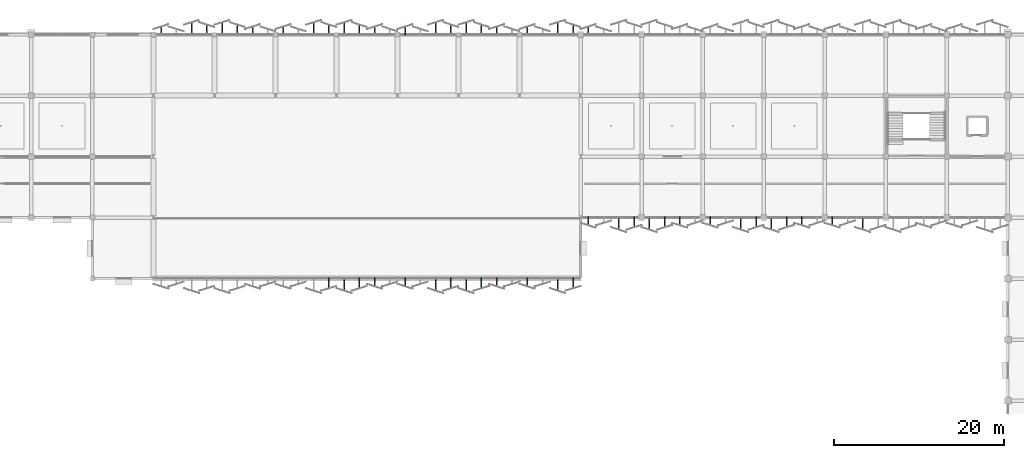
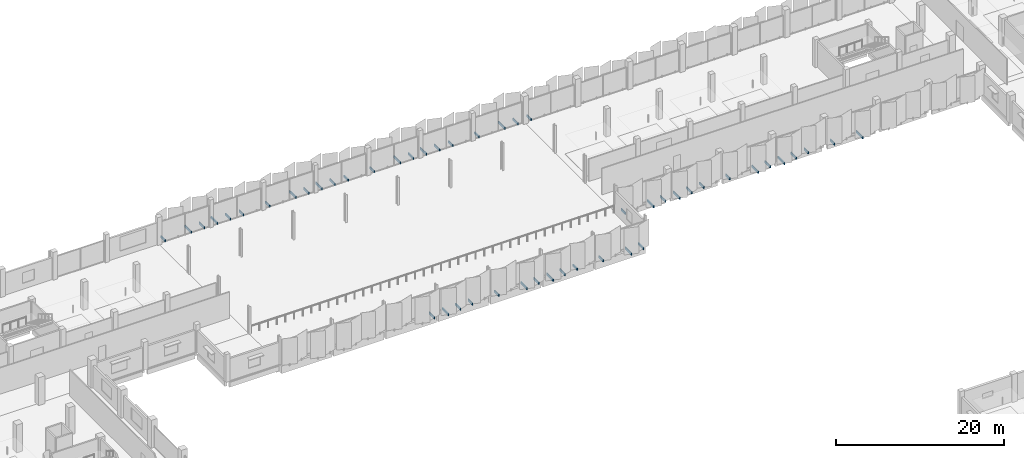
# One storey, part 94 of 107: 49 discrete accessories.
"""IFC4 building model written with IfcOpenShell, lengths in metres."""

from ifc_helpers import new_model, si_unit, direction, frame, origin, origin_2d, place, context, subcontext, project, spatial, rectangle, extrude, material, type_object, element, save


model = new_model("IFC4")

# Units and contexts
model_context = context("Model", 3, precision=1e-05, world=origin(), true_north=direction((0.0, 1.0)))
body_context = subcontext(model_context, "Body", "Model", "MODEL_VIEW")
ifc_project = project(units=[si_unit("LENGTHUNIT", "METRE"), si_unit("AREAUNIT", "SQUARE_METRE"), si_unit("VOLUMEUNIT", "CUBIC_METRE"), si_unit("PLANEANGLEUNIT", "RADIAN"), si_unit("MASSUNIT", "GRAM", prefix="KILO")], contexts=[model_context])

# Site, building, storey
site_placement = place(None, origin())
site = spatial("IfcSite", under=ifc_project, at=site_placement, CompositionType="ELEMENT")
building_placement = place(site_placement, origin())
building = spatial("IfcBuilding", under=site, at=building_placement, Name="Kangsadwip Square Police Headquarters", CompositionType="ELEMENT")
storey_placement = place(building_placement, frame((0.0, 0.0, 5.39990234375)))
storey = spatial("IfcBuildingStorey", under=building, at=storey_placement, Name="L01", CompositionType="ELEMENT", Elevation=5.39990234375)

# Discrete accessories
ifc_material = material(Name="Structural steel IS 2062 E350 (Grade 350, 350 MPa)", Category="steel")
discrete_accessory_type = type_object("IfcDiscreteAccessoryType", Name="VeilOutriggerBracket", PredefinedType="BRACKET", material=ifc_material)
discrete_accessory_1_placement = place(storey_placement, frame((44.10009765625, 115.642578125, -0.06005859375), z_axis=(0.0, 0.0, 1.0), x_axis=(1.0, 0.0, 0.0)))
element("IfcDiscreteAccessory", 1, at=discrete_accessory_1_placement, inside=storey, type_object=discrete_accessory_type, Name="Veil Outrigger Bracket VBK-L01-0001", PredefinedType="BRACKET", context=body_context, shape_type="SweptSolid", body=[
    extrude(rectangle(XDim=0.1201171875, YDim=1.04541015625, at=origin_2d()), origin(), (0.0, 0.0, 1.0), 0.340087890625),
])
discrete_accessory_2_placement = place(storey_placement, frame((47.699951171875, 115.897216796875, -0.06005859375), z_axis=(0.0, 0.0, 1.0), x_axis=(1.0, 0.0, 0.0)))
element("IfcDiscreteAccessory", 2, at=discrete_accessory_2_placement, inside=storey, type_object=discrete_accessory_type, Name="Veil Outrigger Bracket VBK-L01-0003", PredefinedType="BRACKET", context=body_context, shape_type="SweptSolid", body=[
    extrude(rectangle(XDim=0.1201171875, YDim=1.5546875, at=origin_2d()), origin(), (0.0, 0.0, 1.0), 0.340087890625),
])
discrete_accessory_3_placement = place(storey_placement, frame((49.5, 115.75732421875, -0.06005859375), z_axis=(0.0, 0.0, 1.0), x_axis=(1.0, 0.0, 0.0)))
element("IfcDiscreteAccessory", 3, at=discrete_accessory_3_placement, inside=storey, type_object=discrete_accessory_type, Name="Veil Outrigger Bracket VBK-L01-0004", PredefinedType="BRACKET", context=body_context, shape_type="SweptSolid", body=[
    extrude(rectangle(XDim=0.1201171875, YDim=1.274658203125, at=origin_2d()), origin(), (0.0, 0.0, 1.0), 0.340087890625),
])
discrete_accessory_4_placement = place(storey_placement, frame((51.300048828125, 115.897216796875, -0.06005859375), z_axis=(0.0, 0.0, 1.0), x_axis=(1.0, 0.0, 0.0)))
element("IfcDiscreteAccessory", 4, at=discrete_accessory_4_placement, inside=storey, type_object=discrete_accessory_type, Name="Veil Outrigger Bracket VBK-L01-0005", PredefinedType="BRACKET", context=body_context, shape_type="SweptSolid", body=[
    extrude(rectangle(XDim=0.1201171875, YDim=1.5546875, at=origin_2d()), origin(), (0.0, 0.0, 1.0), 0.340087890625),
])
discrete_accessory_5_placement = place(storey_placement, frame((53.10009765625, 115.75732421875, -0.06005859375), z_axis=(0.0, 0.0, 1.0), x_axis=(1.0, 0.0, 0.0)))
element("IfcDiscreteAccessory", 5, at=discrete_accessory_5_placement, inside=storey, type_object=discrete_accessory_type, Name="Veil Outrigger Bracket VBK-L01-0006", PredefinedType="BRACKET", context=body_context, shape_type="SweptSolid", body=[
    extrude(rectangle(XDim=0.1201171875, YDim=1.274658203125, at=origin_2d()), origin(), (0.0, 0.0, 1.0), 0.340087890625),
])
for number, where, z_axis, x_axis, name in (
    (6, (54.89990234375, 115.642578125, -0.06005859375), (0.0, 0.0, 1.0), (1.0, 0.0, 0.0), "Veil Outrigger Bracket VBK-L01-0007"),
    (7, (58.5, 115.642578125, -0.06005859375), (0.0, 0.0, 1.0), (1.0, 0.0, 0.0), "Veil Outrigger Bracket VBK-L01-0009"),
):
    element("IfcDiscreteAccessory", number, at=place(storey_placement, frame(where, z_axis=z_axis, x_axis=x_axis)), inside=storey, type_object=discrete_accessory_type, Name=name, PredefinedType="BRACKET", context=body_context, shape_type="SweptSolid", body=[
        extrude(rectangle(XDim=0.1201171875, YDim=1.04541015625, at=origin_2d()), origin(), (0.0, 0.0, 1.0), 0.340087890625),
    ])
discrete_accessory_6_placement = place(storey_placement, frame((62.10009765625, 115.897216796875, -0.06005859375), z_axis=(0.0, 0.0, 1.0), x_axis=(1.0, 0.0, 0.0)))
element("IfcDiscreteAccessory", 8, at=discrete_accessory_6_placement, inside=storey, type_object=discrete_accessory_type, Name="Veil Outrigger Bracket VBK-L01-0011", PredefinedType="BRACKET", context=body_context, shape_type="SweptSolid", body=[
    extrude(rectangle(XDim=0.1201171875, YDim=1.5546875, at=origin_2d()), origin(), (0.0, 0.0, 1.0), 0.340087890625),
])
discrete_accessory_7_placement = place(storey_placement, frame((63.89990234375, 115.75732421875, -0.06005859375), z_axis=(0.0, 0.0, 1.0), x_axis=(1.0, 0.0, 0.0)))
element("IfcDiscreteAccessory", 9, at=discrete_accessory_7_placement, inside=storey, type_object=discrete_accessory_type, Name="Veil Outrigger Bracket VBK-L01-0012", PredefinedType="BRACKET", context=body_context, shape_type="SweptSolid", body=[
    extrude(rectangle(XDim=0.1201171875, YDim=1.274658203125, at=origin_2d()), origin(), (0.0, 0.0, 1.0), 0.340087890625),
])
discrete_accessory_8_placement = place(storey_placement, frame((65.699951171875, 115.897216796875, -0.06005859375), z_axis=(0.0, 0.0, 1.0), x_axis=(1.0, 0.0, 0.0)))
element("IfcDiscreteAccessory", 10, at=discrete_accessory_8_placement, inside=storey, type_object=discrete_accessory_type, Name="Veil Outrigger Bracket VBK-L01-0013", PredefinedType="BRACKET", context=body_context, shape_type="SweptSolid", body=[
    extrude(rectangle(XDim=0.1201171875, YDim=1.5546875, at=origin_2d()), origin(), (0.0, 0.0, 1.0), 0.340087890625),
])
discrete_accessory_9_placement = place(storey_placement, frame((67.5, 115.75732421875, -0.06005859375), z_axis=(0.0, 0.0, 1.0), x_axis=(1.0, 0.0, 0.0)))
element("IfcDiscreteAccessory", 11, at=discrete_accessory_9_placement, inside=storey, type_object=discrete_accessory_type, Name="Veil Outrigger Bracket VBK-L01-0014", PredefinedType="BRACKET", context=body_context, shape_type="SweptSolid", body=[
    extrude(rectangle(XDim=0.1201171875, YDim=1.274658203125, at=origin_2d()), origin(), (0.0, 0.0, 1.0), 0.340087890625),
])
for number, where, z_axis, x_axis, name in (
    (12, (69.300048828125, 115.642578125, -0.06005859375), (0.0, 0.0, 1.0), (1.0, 0.0, 0.0), "Veil Outrigger Bracket VBK-L01-0015"),
    (13, (72.89990234375, 115.642578125, -0.06005859375), (0.0, 0.0, 1.0), (1.0, 0.0, 0.0), "Veil Outrigger Bracket VBK-L01-0017"),
):
    element("IfcDiscreteAccessory", number, at=place(storey_placement, frame(where, z_axis=z_axis, x_axis=x_axis)), inside=storey, type_object=discrete_accessory_type, Name=name, PredefinedType="BRACKET", context=body_context, shape_type="SweptSolid", body=[
        extrude(rectangle(XDim=0.1201171875, YDim=1.04541015625, at=origin_2d()), origin(), (0.0, 0.0, 1.0), 0.340087890625),
    ])
discrete_accessory_10_placement = place(storey_placement, frame((76.5, 115.897216796875, -0.06005859375), z_axis=(0.0, 0.0, 1.0), x_axis=(1.0, 0.0, 0.0)))
element("IfcDiscreteAccessory", 14, at=discrete_accessory_10_placement, inside=storey, type_object=discrete_accessory_type, Name="Veil Outrigger Bracket VBK-L01-0019", PredefinedType="BRACKET", context=body_context, shape_type="SweptSolid", body=[
    extrude(rectangle(XDim=0.1201171875, YDim=1.5546875, at=origin_2d()), origin(), (0.0, 0.0, 1.0), 0.340087890625),
])
discrete_accessory_11_placement = place(storey_placement, frame((78.300048828125, 115.75732421875, -0.06005859375), z_axis=(0.0, 0.0, 1.0), x_axis=(1.0, 0.0, 0.0)))
element("IfcDiscreteAccessory", 15, at=discrete_accessory_11_placement, inside=storey, type_object=discrete_accessory_type, Name="Veil Outrigger Bracket VBK-L01-0020", PredefinedType="BRACKET", context=body_context, shape_type="SweptSolid", body=[
    extrude(rectangle(XDim=0.1201171875, YDim=1.274658203125, at=origin_2d()), origin(), (0.0, 0.0, 1.0), 0.340087890625),
])
discrete_accessory_12_placement = place(storey_placement, frame((80.10009765625, 115.897216796875, -0.06005859375), z_axis=(0.0, 0.0, 1.0), x_axis=(1.0, 0.0, 0.0)))
element("IfcDiscreteAccessory", 16, at=discrete_accessory_12_placement, inside=storey, type_object=discrete_accessory_type, Name="Veil Outrigger Bracket VBK-L01-0021", PredefinedType="BRACKET", context=body_context, shape_type="SweptSolid", body=[
    extrude(rectangle(XDim=0.1201171875, YDim=1.5546875, at=origin_2d()), origin(), (0.0, 0.0, 1.0), 0.340087890625),
])
discrete_accessory_13_placement = place(storey_placement, frame((81.89990234375, 115.75732421875, -0.06005859375), z_axis=(0.0, 0.0, 1.0), x_axis=(1.0, 0.0, 0.0)))
element("IfcDiscreteAccessory", 17, at=discrete_accessory_13_placement, inside=storey, type_object=discrete_accessory_type, Name="Veil Outrigger Bracket VBK-L01-0022", PredefinedType="BRACKET", context=body_context, shape_type="SweptSolid", body=[
    extrude(rectangle(XDim=0.1201171875, YDim=1.274658203125, at=origin_2d()), origin(), (0.0, 0.0, 1.0), 0.340087890625),
])
for number, where, z_axis, x_axis, name in (
    (18, (83.699951171875, 115.642578125, -0.06005859375), (0.0, 0.0, 1.0), (1.0, 0.0, 0.0), "Veil Outrigger Bracket VBK-L01-0023"),
    (19, (87.300048828125, 115.642578125, -0.06005859375), (0.0, 0.0, 1.0), (1.0, 0.0, 0.0), "Veil Outrigger Bracket VBK-L01-0025"),
):
    element("IfcDiscreteAccessory", number, at=place(storey_placement, frame(where, z_axis=z_axis, x_axis=x_axis)), inside=storey, type_object=discrete_accessory_type, Name=name, PredefinedType="BRACKET", context=body_context, shape_type="SweptSolid", body=[
        extrude(rectangle(XDim=0.1201171875, YDim=1.04541015625, at=origin_2d()), origin(), (0.0, 0.0, 1.0), 0.340087890625),
    ])
discrete_accessory_14_placement = place(storey_placement, frame((90.89990234375, 115.897216796875, -0.06005859375), z_axis=(0.0, 0.0, 1.0), x_axis=(1.0, 0.0, 0.0)))
element("IfcDiscreteAccessory", 20, at=discrete_accessory_14_placement, inside=storey, type_object=discrete_accessory_type, Name="Veil Outrigger Bracket VBK-L01-0027", PredefinedType="BRACKET", context=body_context, shape_type="SweptSolid", body=[
    extrude(rectangle(XDim=0.1201171875, YDim=1.5546875, at=origin_2d()), origin(), (0.0, 0.0, 1.0), 0.340087890625),
])
discrete_accessory_15_placement = place(storey_placement, frame((92.699951171875, 115.75732421875, -0.06005859375), z_axis=(0.0, 0.0, 1.0), x_axis=(1.0, 0.0, 0.0)))
element("IfcDiscreteAccessory", 21, at=discrete_accessory_15_placement, inside=storey, type_object=discrete_accessory_type, Name="Veil Outrigger Bracket VBK-L01-0028", PredefinedType="BRACKET", context=body_context, shape_type="SweptSolid", body=[
    extrude(rectangle(XDim=0.1201171875, YDim=1.274658203125, at=origin_2d()), origin(), (0.0, 0.0, 1.0), 0.340087890625),
])
discrete_accessory_16_placement = place(storey_placement, frame((94.5, 115.642578125, -0.06005859375), z_axis=(0.0, 0.0, 1.0), x_axis=(1.0, 0.0, 0.0)))
element("IfcDiscreteAccessory", 22, at=discrete_accessory_16_placement, inside=storey, type_object=discrete_accessory_type, Name="Veil Outrigger Bracket VBK-L01-0057", PredefinedType="BRACKET", context=body_context, shape_type="SweptSolid", body=[
    extrude(rectangle(XDim=0.1201171875, YDim=1.04541015625, at=origin_2d()), origin(), (0.0, 0.0, 1.0), 0.340087890625),
])
discrete_accessory_17_placement = place(storey_placement, frame((63.89990234375, 85.8427734375, -0.06005859375), z_axis=(0.0, 0.0, 1.0), x_axis=(1.0, 0.0, 0.0)))
element("IfcDiscreteAccessory", 23, at=discrete_accessory_17_placement, inside=storey, type_object=discrete_accessory_type, Name="Veil Outrigger Bracket VBK-L01-0208", PredefinedType="BRACKET", context=body_context, shape_type="SweptSolid", body=[
    extrude(rectangle(XDim=0.1201171875, YDim=1.274658203125, at=origin_2d()), origin(), (0.0, 0.0, 1.0), 0.340087890625),
])
discrete_accessory_18_placement = place(storey_placement, frame((65.699951171875, 85.70263671875, -0.06005859375), z_axis=(0.0, 0.0, 1.0), x_axis=(1.0, 0.0, 0.0)))
element("IfcDiscreteAccessory", 24, at=discrete_accessory_18_placement, inside=storey, type_object=discrete_accessory_type, Name="Veil Outrigger Bracket VBK-L01-0209", PredefinedType="BRACKET", context=body_context, shape_type="SweptSolid", body=[
    extrude(rectangle(XDim=0.1201171875, YDim=1.5546875, at=origin_2d()), origin(), (0.0, 0.0, 1.0), 0.340087890625),
])
discrete_accessory_19_placement = place(storey_placement, frame((67.5, 85.8427734375, -0.06005859375), z_axis=(0.0, 0.0, 1.0), x_axis=(1.0, 0.0, 0.0)))
element("IfcDiscreteAccessory", 25, at=discrete_accessory_19_placement, inside=storey, type_object=discrete_accessory_type, Name="Veil Outrigger Bracket VBK-L01-0210", PredefinedType="BRACKET", context=body_context, shape_type="SweptSolid", body=[
    extrude(rectangle(XDim=0.1201171875, YDim=1.274658203125, at=origin_2d()), origin(), (0.0, 0.0, 1.0), 0.340087890625),
])
for number, where, z_axis, x_axis, name in (
    (26, (69.300048828125, 85.957275390625, -0.06005859375), (0.0, 0.0, 1.0), (1.0, 0.0, 0.0), "Veil Outrigger Bracket VBK-L01-0211"),
    (27, (72.89990234375, 85.957275390625, -0.06005859375), (0.0, 0.0, 1.0), (1.0, 0.0, 0.0), "Veil Outrigger Bracket VBK-L01-0213"),
):
    element("IfcDiscreteAccessory", number, at=place(storey_placement, frame(where, z_axis=z_axis, x_axis=x_axis)), inside=storey, type_object=discrete_accessory_type, Name=name, PredefinedType="BRACKET", context=body_context, shape_type="SweptSolid", body=[
        extrude(rectangle(XDim=0.1201171875, YDim=1.04541015625, at=origin_2d()), origin(), (0.0, 0.0, 1.0), 0.340087890625),
    ])
discrete_accessory_20_placement = place(storey_placement, frame((76.5, 85.70263671875, -0.06005859375), z_axis=(0.0, 0.0, 1.0), x_axis=(1.0, 0.0, 0.0)))
element("IfcDiscreteAccessory", 28, at=discrete_accessory_20_placement, inside=storey, type_object=discrete_accessory_type, Name="Veil Outrigger Bracket VBK-L01-0215", PredefinedType="BRACKET", context=body_context, shape_type="SweptSolid", body=[
    extrude(rectangle(XDim=0.1201171875, YDim=1.5546875, at=origin_2d()), origin(), (0.0, 0.0, 1.0), 0.340087890625),
])
discrete_accessory_21_placement = place(storey_placement, frame((78.300048828125, 85.8427734375, -0.06005859375), z_axis=(0.0, 0.0, 1.0), x_axis=(1.0, 0.0, 0.0)))
element("IfcDiscreteAccessory", 29, at=discrete_accessory_21_placement, inside=storey, type_object=discrete_accessory_type, Name="Veil Outrigger Bracket VBK-L01-0216", PredefinedType="BRACKET", context=body_context, shape_type="SweptSolid", body=[
    extrude(rectangle(XDim=0.1201171875, YDim=1.274658203125, at=origin_2d()), origin(), (0.0, 0.0, 1.0), 0.340087890625),
])
discrete_accessory_22_placement = place(storey_placement, frame((80.10009765625, 85.70263671875, -0.06005859375), z_axis=(0.0, 0.0, 1.0), x_axis=(1.0, 0.0, 0.0)))
element("IfcDiscreteAccessory", 30, at=discrete_accessory_22_placement, inside=storey, type_object=discrete_accessory_type, Name="Veil Outrigger Bracket VBK-L01-0217", PredefinedType="BRACKET", context=body_context, shape_type="SweptSolid", body=[
    extrude(rectangle(XDim=0.1201171875, YDim=1.5546875, at=origin_2d()), origin(), (0.0, 0.0, 1.0), 0.340087890625),
])
discrete_accessory_23_placement = place(storey_placement, frame((81.89990234375, 85.8427734375, -0.06005859375), z_axis=(0.0, 0.0, 1.0), x_axis=(1.0, 0.0, 0.0)))
element("IfcDiscreteAccessory", 31, at=discrete_accessory_23_placement, inside=storey, type_object=discrete_accessory_type, Name="Veil Outrigger Bracket VBK-L01-0218", PredefinedType="BRACKET", context=body_context, shape_type="SweptSolid", body=[
    extrude(rectangle(XDim=0.1201171875, YDim=1.274658203125, at=origin_2d()), origin(), (0.0, 0.0, 1.0), 0.340087890625),
])
for number, where, z_axis, x_axis, name in (
    (32, (83.699951171875, 85.957275390625, -0.06005859375), (0.0, 0.0, 1.0), (1.0, 0.0, 0.0), "Veil Outrigger Bracket VBK-L01-0219"),
    (33, (87.300048828125, 85.957275390625, -0.06005859375), (0.0, 0.0, 1.0), (1.0, 0.0, 0.0), "Veil Outrigger Bracket VBK-L01-0221"),
):
    element("IfcDiscreteAccessory", number, at=place(storey_placement, frame(where, z_axis=z_axis, x_axis=x_axis)), inside=storey, type_object=discrete_accessory_type, Name=name, PredefinedType="BRACKET", context=body_context, shape_type="SweptSolid", body=[
        extrude(rectangle(XDim=0.1201171875, YDim=1.04541015625, at=origin_2d()), origin(), (0.0, 0.0, 1.0), 0.340087890625),
    ])
discrete_accessory_24_placement = place(storey_placement, frame((90.89990234375, 85.70263671875, -0.06005859375), z_axis=(0.0, 0.0, 1.0), x_axis=(1.0, 0.0, 0.0)))
element("IfcDiscreteAccessory", 34, at=discrete_accessory_24_placement, inside=storey, type_object=discrete_accessory_type, Name="Veil Outrigger Bracket VBK-L01-0223", PredefinedType="BRACKET", context=body_context, shape_type="SweptSolid", body=[
    extrude(rectangle(XDim=0.1201171875, YDim=1.5546875, at=origin_2d()), origin(), (0.0, 0.0, 1.0), 0.340087890625),
])
discrete_accessory_25_placement = place(storey_placement, frame((92.699951171875, 85.8427734375, -0.06005859375), z_axis=(0.0, 0.0, 1.0), x_axis=(1.0, 0.0, 0.0)))
element("IfcDiscreteAccessory", 35, at=discrete_accessory_25_placement, inside=storey, type_object=discrete_accessory_type, Name="Veil Outrigger Bracket VBK-L01-0224", PredefinedType="BRACKET", context=body_context, shape_type="SweptSolid", body=[
    extrude(rectangle(XDim=0.1201171875, YDim=1.274658203125, at=origin_2d()), origin(), (0.0, 0.0, 1.0), 0.340087890625),
])
discrete_accessory_26_placement = place(storey_placement, frame((94.5, 93.1572265625, -0.06005859375), z_axis=(0.0, 0.0, 1.0), x_axis=(1.0, 0.0, 0.0)))
element("IfcDiscreteAccessory", 36, at=discrete_accessory_26_placement, inside=storey, type_object=discrete_accessory_type, Name="Veil Outrigger Bracket VBK-L01-0253", PredefinedType="BRACKET", context=body_context, shape_type="SweptSolid", body=[
    extrude(rectangle(XDim=0.1201171875, YDim=1.04541015625, at=origin_2d()), origin(), (0.0, 0.0, 1.0), 0.340087890625),
])
discrete_accessory_27_placement = place(storey_placement, frame((98.10009765625, 92.902587890625, -0.06005859375), z_axis=(0.0, 0.0, 1.0), x_axis=(1.0, 0.0, 0.0)))
element("IfcDiscreteAccessory", 37, at=discrete_accessory_27_placement, inside=storey, type_object=discrete_accessory_type, Name="Veil Outrigger Bracket VBK-L01-0255", PredefinedType="BRACKET", context=body_context, shape_type="SweptSolid", body=[
    extrude(rectangle(XDim=0.1201171875, YDim=1.5546875, at=origin_2d()), origin(), (0.0, 0.0, 1.0), 0.340087890625),
])
discrete_accessory_28_placement = place(storey_placement, frame((99.89990234375, 93.042724609375, -0.06005859375), z_axis=(0.0, 0.0, 1.0), x_axis=(1.0, 0.0, 0.0)))
element("IfcDiscreteAccessory", 38, at=discrete_accessory_28_placement, inside=storey, type_object=discrete_accessory_type, Name="Veil Outrigger Bracket VBK-L01-0256", PredefinedType="BRACKET", context=body_context, shape_type="SweptSolid", body=[
    extrude(rectangle(XDim=0.1201171875, YDim=1.274658203125, at=origin_2d()), origin(), (0.0, 0.0, 1.0), 0.340087890625),
])
discrete_accessory_29_placement = place(storey_placement, frame((101.699951171875, 92.902587890625, -0.06005859375), z_axis=(0.0, 0.0, 1.0), x_axis=(1.0, 0.0, 0.0)))
element("IfcDiscreteAccessory", 39, at=discrete_accessory_29_placement, inside=storey, type_object=discrete_accessory_type, Name="Veil Outrigger Bracket VBK-L01-0257", PredefinedType="BRACKET", context=body_context, shape_type="SweptSolid", body=[
    extrude(rectangle(XDim=0.1201171875, YDim=1.5546875, at=origin_2d()), origin(), (0.0, 0.0, 1.0), 0.340087890625),
])
discrete_accessory_30_placement = place(storey_placement, frame((103.5, 93.042724609375, -0.06005859375), z_axis=(0.0, 0.0, 1.0), x_axis=(1.0, 0.0, 0.0)))
element("IfcDiscreteAccessory", 40, at=discrete_accessory_30_placement, inside=storey, type_object=discrete_accessory_type, Name="Veil Outrigger Bracket VBK-L01-0258", PredefinedType="BRACKET", context=body_context, shape_type="SweptSolid", body=[
    extrude(rectangle(XDim=0.1201171875, YDim=1.274658203125, at=origin_2d()), origin(), (0.0, 0.0, 1.0), 0.340087890625),
])
for number, where, z_axis, x_axis, name in (
    (41, (105.300048828125, 93.1572265625, -0.06005859375), (0.0, 0.0, 1.0), (1.0, 0.0, 0.0), "Veil Outrigger Bracket VBK-L01-0259"),
    (42, (108.89990234375, 93.1572265625, -0.06005859375), (0.0, 0.0, 1.0), (1.0, 0.0, 0.0), "Veil Outrigger Bracket VBK-L01-0261"),
):
    element("IfcDiscreteAccessory", number, at=place(storey_placement, frame(where, z_axis=z_axis, x_axis=x_axis)), inside=storey, type_object=discrete_accessory_type, Name=name, PredefinedType="BRACKET", context=body_context, shape_type="SweptSolid", body=[
        extrude(rectangle(XDim=0.1201171875, YDim=1.04541015625, at=origin_2d()), origin(), (0.0, 0.0, 1.0), 0.340087890625),
    ])
discrete_accessory_31_placement = place(storey_placement, frame((112.5, 92.902587890625, -0.06005859375), z_axis=(0.0, 0.0, 1.0), x_axis=(1.0, 0.0, 0.0)))
element("IfcDiscreteAccessory", 43, at=discrete_accessory_31_placement, inside=storey, type_object=discrete_accessory_type, Name="Veil Outrigger Bracket VBK-L01-0263", PredefinedType="BRACKET", context=body_context, shape_type="SweptSolid", body=[
    extrude(rectangle(XDim=0.1201171875, YDim=1.5546875, at=origin_2d()), origin(), (0.0, 0.0, 1.0), 0.340087890625),
])
discrete_accessory_32_placement = place(storey_placement, frame((114.300048828125, 93.042724609375, -0.06005859375), z_axis=(0.0, 0.0, 1.0), x_axis=(1.0, 0.0, 0.0)))
element("IfcDiscreteAccessory", 44, at=discrete_accessory_32_placement, inside=storey, type_object=discrete_accessory_type, Name="Veil Outrigger Bracket VBK-L01-0264", PredefinedType="BRACKET", context=body_context, shape_type="SweptSolid", body=[
    extrude(rectangle(XDim=0.1201171875, YDim=1.274658203125, at=origin_2d()), origin(), (0.0, 0.0, 1.0), 0.340087890625),
])
discrete_accessory_33_placement = place(storey_placement, frame((116.10009765625, 92.902587890625, -0.06005859375), z_axis=(0.0, 0.0, 1.0), x_axis=(1.0, 0.0, 0.0)))
element("IfcDiscreteAccessory", 45, at=discrete_accessory_33_placement, inside=storey, type_object=discrete_accessory_type, Name="Veil Outrigger Bracket VBK-L01-0265", PredefinedType="BRACKET", context=body_context, shape_type="SweptSolid", body=[
    extrude(rectangle(XDim=0.1201171875, YDim=1.5546875, at=origin_2d()), origin(), (0.0, 0.0, 1.0), 0.340087890625),
])
discrete_accessory_34_placement = place(storey_placement, frame((117.89990234375, 93.042724609375, -0.06005859375), z_axis=(0.0, 0.0, 1.0), x_axis=(1.0, 0.0, 0.0)))
element("IfcDiscreteAccessory", 46, at=discrete_accessory_34_placement, inside=storey, type_object=discrete_accessory_type, Name="Veil Outrigger Bracket VBK-L01-0266", PredefinedType="BRACKET", context=body_context, shape_type="SweptSolid", body=[
    extrude(rectangle(XDim=0.1201171875, YDim=1.274658203125, at=origin_2d()), origin(), (0.0, 0.0, 1.0), 0.340087890625),
])
for number, where, z_axis, x_axis, name in (
    (47, (119.699951171875, 93.1572265625, -0.06005859375), (0.0, 0.0, 1.0), (1.0, 0.0, 0.0), "Veil Outrigger Bracket VBK-L01-0267"),
    (48, (123.300048828125, 93.1572265625, -0.06005859375), (0.0, 0.0, 1.0), (1.0, 0.0, 0.0), "Veil Outrigger Bracket VBK-L01-0269"),
):
    element("IfcDiscreteAccessory", number, at=place(storey_placement, frame(where, z_axis=z_axis, x_axis=x_axis)), inside=storey, type_object=discrete_accessory_type, Name=name, PredefinedType="BRACKET", context=body_context, shape_type="SweptSolid", body=[
        extrude(rectangle(XDim=0.1201171875, YDim=1.04541015625, at=origin_2d()), origin(), (0.0, 0.0, 1.0), 0.340087890625),
    ])
discrete_accessory_35_placement = place(storey_placement, frame((126.89990234375, 92.902587890625, -0.06005859375), z_axis=(0.0, 0.0, 1.0), x_axis=(1.0, 0.0, 0.0)))
element("IfcDiscreteAccessory", 49, at=discrete_accessory_35_placement, inside=storey, type_object=discrete_accessory_type, Name="Veil Outrigger Bracket VBK-L01-0271", PredefinedType="BRACKET", context=body_context, shape_type="SweptSolid", body=[
    extrude(rectangle(XDim=0.1201171875, YDim=1.5546875, at=origin_2d()), origin(), (0.0, 0.0, 1.0), 0.340087890625),
])

save(model, "model.ifc")
